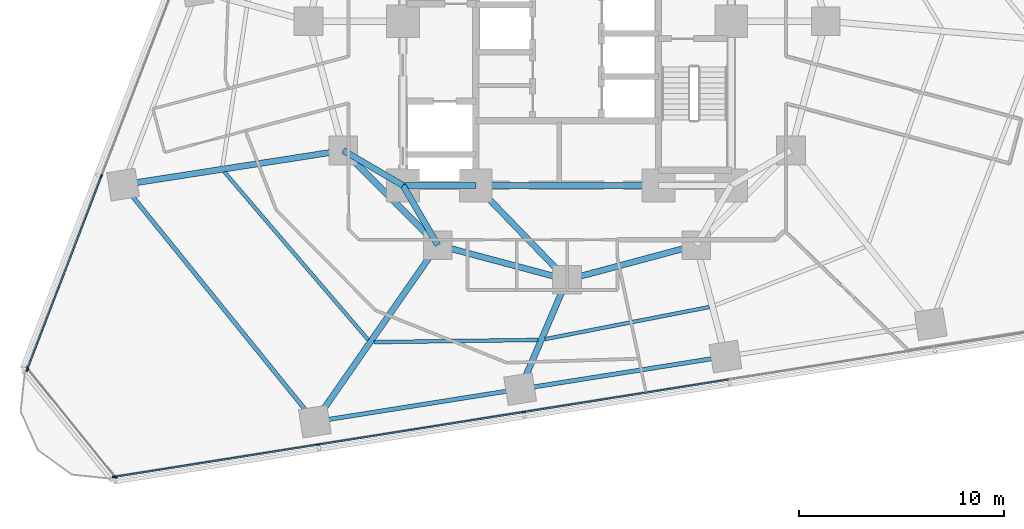
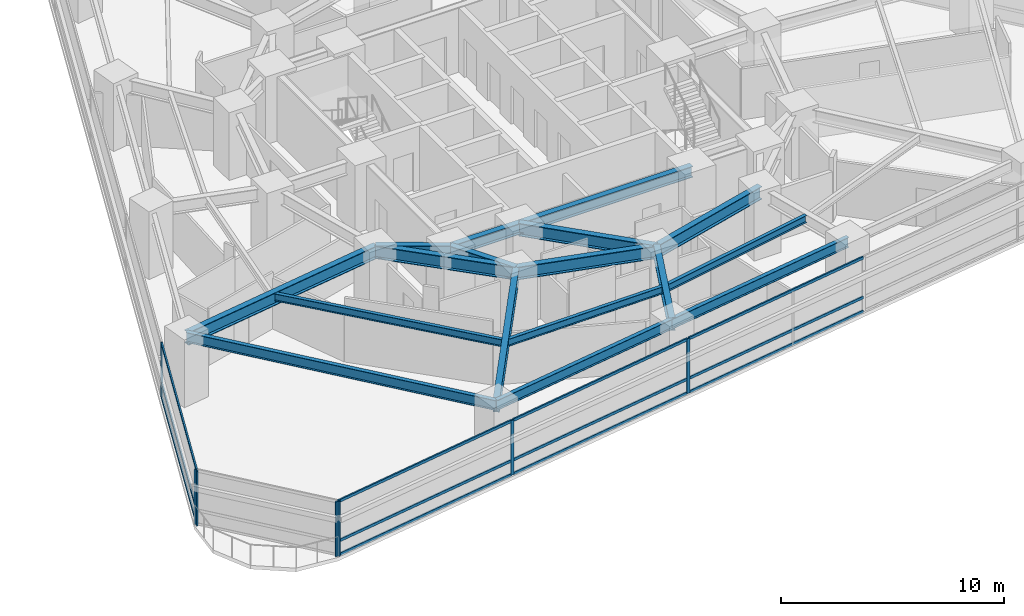
# One storey, part 2 of 14: 19 members, 17 beams, 3 elements without a shape of their own.
"""IFC4 building model written with IfcOpenShell, lengths in metres."""

from ifc_helpers import new_model, si_unit, direction, frame, origin, origin_2d, place, context, subcontext, project, spatial, rectangle, i_section, extrude, material, layer, layer_set, material_profile, profile_set, type_object, element, aggregate, save


model = new_model("IFC4")

# Units and contexts
model_context = context("Model", 3, precision=1e-05, world=origin(), true_north=direction((0.0, 1.0)))
body_context = subcontext(model_context, "Body", "Model", "MODEL_VIEW")
ifc_project = project(units=[si_unit("LENGTHUNIT", "METRE"), si_unit("AREAUNIT", "SQUARE_METRE"), si_unit("VOLUMEUNIT", "CUBIC_METRE"), si_unit("PLANEANGLEUNIT", "RADIAN"), si_unit("MASSUNIT", "GRAM", prefix="KILO")], contexts=[model_context])

# Site, building, storey
site_placement = place(None, origin())
site = spatial("IfcSite", under=ifc_project, at=site_placement, CompositionType="ELEMENT")
building_placement = place(site_placement, origin())
building = spatial("IfcBuilding", under=site, at=building_placement, Name="Terralouvre Media Tower", CompositionType="ELEMENT")
storey_placement = place(building_placement, frame((0.0, 0.0, 66.699951171875)))
storey = spatial("IfcBuildingStorey", under=building, at=storey_placement, Name="L16", CompositionType="ELEMENT", Elevation=66.699951171875)

# Beams
ifc_material_1 = material(Name="Structural steel S355J2", Category="steel")
ifc_material_profile_1 = material_profile(ifc_material_1, i_section(OverallWidth=0.179931640625, OverallDepth=0.39990234375, WebThickness=0.008544921875, FlangeThickness=0.013427734375, at=origin_2d()), Name="IPE 400")
ifc_profile_set_1 = profile_set([ifc_material_profile_1], Name="Structural steel S355J2")
beam_type_1 = type_object("IfcBeamType", Name="Composite Floor Joist J-IPE400 (IPE 400)", PredefinedType="JOIST", material=ifc_profile_set_1)
beam_1_placement = place(storey_placement, frame((-16.69921875, -7.3486328125, 3.300048828125), z_axis=(0.650576599138, -0.759440641955, 0.0), x_axis=(0.759440641955, 0.650576599138, 0.0)))
element("IfcBeam", 1, at=beam_1_placement, inside=storey, type_object=beam_type_1, Name="L16 Framing Beam JT-L16-01", PredefinedType="JOIST", context=body_context, shape_type="SweptSolid", body=[
    extrude(i_section(OverallWidth=0.179931640625, OverallDepth=0.39990234375, WebThickness=0.008544921875, FlangeThickness=0.013427734375, at=origin_2d()), origin(), (0.0, 0.0, 1.0), 10.766845703125),
])
beam_2_placement = place(storey_placement, frame((-9.41259765625, -15.63916015625, 3.300048828125), z_axis=(0.999910093881, 0.013409107136, 0.0), x_axis=(-0.013409107136, 0.999910093881, 0.0)))
element("IfcBeam", 2, at=beam_2_placement, inside=storey, type_object=beam_type_1, Name="L16 Framing Beam JT-L16-02", PredefinedType="JOIST", context=body_context, shape_type="SweptSolid", body=[
    extrude(i_section(OverallWidth=0.179931640625, OverallDepth=0.39990234375, WebThickness=0.008544921875, FlangeThickness=0.013427734375, at=origin_2d()), origin(), (0.0, 0.0, 1.0), 7.992919921875),
])
beam_3_placement = place(storey_placement, frame((-1.08203125, -15.495361328125, 3.300048828125), z_axis=(0.981397676367, 0.191985939127, 0.0), x_axis=(-0.191985939127, 0.981397676367, 0.0)))
element("IfcBeam", 3, at=beam_3_placement, inside=storey, type_object=beam_type_1, Name="L16 Framing Beam JT-L16-03", PredefinedType="JOIST", context=body_context, shape_type="SweptSolid", body=[
    extrude(i_section(OverallWidth=0.179931640625, OverallDepth=0.39990234375, WebThickness=0.008544921875, FlangeThickness=0.013427734375, at=origin_2d()), origin(), (0.0, 0.0, 1.0), 8.165283203125),
])

# Curtain wall, members
ifc_material_2 = material(Name="Low-iron laminated double glazing with solar-control coating", Category="glass")
ifc_layer_1 = layer(ifc_material_2, 0.1650390625, Name="Lower Media Tower Unitised Curtain Wall CW-02")
ifc_layer_set_1 = layer_set([ifc_layer_1], Name="Low-iron laminated double glazing with solar-control coating")
curtain_wall_type_1 = type_object("IfcCurtainWallType", Name="Lower Media Tower Unitised Curtain Wall CW-02", PredefinedType="NOTDEFINED", material=ifc_layer_set_1)
curtain_wall_1_placement = place(storey_placement, origin())
curtain_wall_1 = element("IfcCurtainWall", 4, at=curtain_wall_1_placement, inside=storey, type_object=curtain_wall_type_1, Name="L16 Facade Curtain Wall F0", PredefinedType="NOTDEFINED")
ifc_material_3 = material(Name="Anodised extruded aluminium 6063-T6", Category="aluminium")
ifc_material_profile_2 = material_profile(ifc_material_3, rectangle(XDim=0.074951171875, YDim=0.14990234375, at=origin_2d()), Name="ALU 75x150")
ifc_profile_set_2 = profile_set([ifc_material_profile_2], Name="Anodised extruded aluminium 6063-T6")
member_type_1 = type_object("IfcMemberType", Name="Curtain-Wall Horizontal Transom TR-150", PredefinedType="USERDEFINED", material=ifc_profile_set_2)
member_1_placement = place(storey_placement, frame((-22.04345703125, -22.2001953125, 0.03759765625), z_axis=(0.987689925264, 0.15642445951, 0.0), x_axis=(-0.15642445951, 0.987689925264, 0.0)))
member_1 = element("IfcMember", 5, at=member_1_placement, type_object=member_type_1, Name="CW-02 transom 1.1", ObjectType="TRANSOM", PredefinedType="USERDEFINED", context=body_context, shape_type="SweptSolid", body=[
    extrude(rectangle(XDim=0.074951171875, YDim=0.14990234375, at=origin_2d()), origin(), (0.0, 0.0, 1.0), 10.015380859375),
])
member_2_placement = place(storey_placement, frame((-22.04345703125, -22.2001953125, 0.800048828125), z_axis=(0.987689925264, 0.15642445951, 0.0), x_axis=(-0.15642445951, 0.987689925264, 0.0)))
member_2 = element("IfcMember", 6, at=member_2_placement, type_object=member_type_1, Name="CW-02 transom 1.2", ObjectType="TRANSOM", PredefinedType="USERDEFINED", context=body_context, shape_type="SweptSolid", body=[
    extrude(rectangle(XDim=0.074951171875, YDim=0.14990234375, at=origin_2d()), origin(), (0.0, 0.0, 1.0), 10.015380859375),
])
member_3_placement = place(storey_placement, frame((-22.04345703125, -22.2001953125, 2.962646484375), z_axis=(0.987689925264, 0.15642445951, 0.0), x_axis=(-0.15642445951, 0.987689925264, 0.0)))
member_3 = element("IfcMember", 7, at=member_3_placement, type_object=member_type_1, Name="CW-02 transom 1.3", ObjectType="TRANSOM", PredefinedType="USERDEFINED", context=body_context, shape_type="SweptSolid", body=[
    extrude(rectangle(XDim=0.074951171875, YDim=0.14990234375, at=origin_2d()), origin(), (0.0, 0.0, 1.0), 10.015380859375),
])
member_4_placement = place(storey_placement, frame((-12.0771484375, -20.62158203125, 0.03759765625), z_axis=(0.987690198625, 0.156422733448, 0.0), x_axis=(-0.156422733448, 0.987690198625, 0.0)))
member_4 = element("IfcMember", 8, at=member_4_placement, type_object=member_type_1, Name="CW-02 transom 2.1", ObjectType="TRANSOM", PredefinedType="USERDEFINED", context=body_context, shape_type="SweptSolid", body=[
    extrude(rectangle(XDim=0.074951171875, YDim=0.14990234375, at=origin_2d()), origin(), (0.0, 0.0, 1.0), 10.052978515625),
])
member_5_placement = place(storey_placement, frame((-12.0771484375, -20.62158203125, 0.800048828125), z_axis=(0.987690198625, 0.156422733448, 0.0), x_axis=(-0.156422733448, 0.987690198625, 0.0)))
member_5 = element("IfcMember", 9, at=member_5_placement, type_object=member_type_1, Name="CW-02 transom 2.2", ObjectType="TRANSOM", PredefinedType="USERDEFINED", context=body_context, shape_type="SweptSolid", body=[
    extrude(rectangle(XDim=0.074951171875, YDim=0.14990234375, at=origin_2d()), origin(), (0.0, 0.0, 1.0), 10.052978515625),
])
member_6_placement = place(storey_placement, frame((-12.0771484375, -20.62158203125, 2.962646484375), z_axis=(0.987690198625, 0.156422733448, 0.0), x_axis=(-0.156422733448, 0.987690198625, 0.0)))
member_6 = element("IfcMember", 10, at=member_6_placement, type_object=member_type_1, Name="CW-02 transom 2.3", ObjectType="TRANSOM", PredefinedType="USERDEFINED", context=body_context, shape_type="SweptSolid", body=[
    extrude(rectangle(XDim=0.074951171875, YDim=0.14990234375, at=origin_2d()), origin(), (0.0, 0.0, 1.0), 10.052978515625),
])
member_7_placement = place(storey_placement, frame((-2.073974609375, -19.037353515625, 0.03759765625), z_axis=(0.987686446318, 0.156446424568, 0.0), x_axis=(-0.156446424568, 0.987686446318, 0.0)))
member_7 = element("IfcMember", 11, at=member_7_placement, type_object=member_type_1, Name="CW-02 transom 3.1", ObjectType="TRANSOM", PredefinedType="USERDEFINED", context=body_context, shape_type="SweptSolid", body=[
    extrude(rectangle(XDim=0.074951171875, YDim=0.14990234375, at=origin_2d()), origin(), (0.0, 0.0, 1.0), 10.052978515625),
])
member_8_placement = place(storey_placement, frame((-2.073974609375, -19.037353515625, 0.800048828125), z_axis=(0.987686446318, 0.156446424568, 0.0), x_axis=(-0.156446424568, 0.987686446318, 0.0)))
member_8 = element("IfcMember", 12, at=member_8_placement, type_object=member_type_1, Name="CW-02 transom 3.2", ObjectType="TRANSOM", PredefinedType="USERDEFINED", context=body_context, shape_type="SweptSolid", body=[
    extrude(rectangle(XDim=0.074951171875, YDim=0.14990234375, at=origin_2d()), origin(), (0.0, 0.0, 1.0), 10.052978515625),
])
member_9_placement = place(storey_placement, frame((-2.073974609375, -19.037353515625, 2.962646484375), z_axis=(0.987686446318, 0.156446424568, 0.0), x_axis=(-0.156446424568, 0.987686446318, 0.0)))
member_9 = element("IfcMember", 13, at=member_9_placement, type_object=member_type_1, Name="CW-02 transom 3.3", ObjectType="TRANSOM", PredefinedType="USERDEFINED", context=body_context, shape_type="SweptSolid", body=[
    extrude(rectangle(XDim=0.074951171875, YDim=0.14990234375, at=origin_2d()), origin(), (0.0, 0.0, 1.0), 10.052978515625),
])

curtain_wall_2_placement = place(storey_placement, origin())
curtain_wall_2 = element("IfcCurtainWall", 14, at=curtain_wall_2_placement, inside=storey, type_object=curtain_wall_type_1, Name="L16 Facade Curtain Wall F2", PredefinedType="NOTDEFINED")
member_10_placement = place(storey_placement, frame((-22.708984375, -7.595947265625, 0.03759765625), z_axis=(-0.358363173116, -0.933582259983, 0.0), x_axis=(0.933582259983, -0.358363173116, 0.0)))
member_10 = element("IfcMember", 15, at=member_10_placement, type_object=member_type_1, Name="CW-02 transom 5.1", ObjectType="TRANSOM", PredefinedType="USERDEFINED", context=body_context, shape_type="SweptSolid", body=[
    extrude(rectangle(XDim=0.074951171875, YDim=0.14990234375, at=origin_2d()), origin(), (0.0, 0.0, 1.0), 10.015380859375),
])
member_11_placement = place(storey_placement, frame((-22.708984375, -7.595947265625, 0.800048828125), z_axis=(-0.358363173116, -0.933582259983, 0.0), x_axis=(0.933582259983, -0.358363173116, 0.0)))
member_11 = element("IfcMember", 16, at=member_11_placement, type_object=member_type_1, Name="CW-02 transom 5.2", ObjectType="TRANSOM", PredefinedType="USERDEFINED", context=body_context, shape_type="SweptSolid", body=[
    extrude(rectangle(XDim=0.074951171875, YDim=0.14990234375, at=origin_2d()), origin(), (0.0, 0.0, 1.0), 10.015380859375),
])
member_12_placement = place(storey_placement, frame((-22.708984375, -7.595947265625, 2.962646484375), z_axis=(-0.358363173116, -0.933582259983, 0.0), x_axis=(0.933582259983, -0.358363173116, 0.0)))
member_12 = element("IfcMember", 17, at=member_12_placement, type_object=member_type_1, Name="CW-02 transom 5.3", ObjectType="TRANSOM", PredefinedType="USERDEFINED", context=body_context, shape_type="SweptSolid", body=[
    extrude(rectangle(XDim=0.074951171875, YDim=0.14990234375, at=origin_2d()), origin(), (0.0, 0.0, 1.0), 10.015380859375),
])

# Member
ifc_material_4 = material(Name="Anodised extruded aluminium 6063-T6", Category="aluminium")
ifc_material_profile_3 = material_profile(ifc_material_4, rectangle(XDim=0.074951171875, YDim=0.179931640625, at=origin_2d()), Name="ALU 75x180")
ifc_profile_set_3 = profile_set([ifc_material_profile_3], Name="Anodised extruded aluminium 6063-T6")
member_type_2 = type_object("IfcMemberType", Name="Curtain-Wall Vertical Mullion ML-180", PredefinedType="MULLION", material=ifc_profile_set_3)
member_13_placement = place(storey_placement, frame((-22.08056640625, -22.2060546875, 0.0), z_axis=(0.0, 0.0, 1.0), x_axis=(-0.156434462903, 0.987688340934, 0.0)))
member_13 = element("IfcMember", 18, at=member_13_placement, type_object=member_type_2, Name="CW-02 mullion 1", PredefinedType="MULLION", context=body_context, shape_type="SweptSolid", body=[
    extrude(rectangle(XDim=0.074951171875, YDim=0.179931640625, at=origin_2d()), origin(), (0.0, 0.0, 1.0), 3.0),
])

member_14_placement = place(storey_placement, frame((-12.1142578125, -20.62744140625, 0.0), z_axis=(0.0, 0.0, 1.0), x_axis=(-0.156434462903, 0.987688340934, 0.0)))
member_14 = element("IfcMember", 19, at=member_14_placement, type_object=member_type_2, Name="CW-02 mullion 2", PredefinedType="MULLION", context=body_context, shape_type="SweptSolid", body=[
    extrude(rectangle(XDim=0.074951171875, YDim=0.179931640625, at=origin_2d()), origin(), (0.0, 0.0, 1.0), 3.0),
])

member_15_placement = place(storey_placement, frame((-2.111083984375, -19.043212890625, 0.0), z_axis=(0.0, 0.0, 1.0), x_axis=(-0.156434462903, 0.987688340934, 0.0)))
member_15 = element("IfcMember", 20, at=member_15_placement, type_object=member_type_2, Name="CW-02 mullion 3", PredefinedType="MULLION", context=body_context, shape_type="SweptSolid", body=[
    extrude(rectangle(XDim=0.074951171875, YDim=0.179931640625, at=origin_2d()), origin(), (0.0, 0.0, 1.0), 3.0),
])

aggregate(curtain_wall_1, [member_13, member_14, member_15, member_1, member_2, member_3, member_4, member_5, member_6, member_7, member_8, member_9])

member_16_placement = place(storey_placement, frame((-22.695556640625, -7.560791015625, 0.0), z_axis=(0.0, 0.0, 1.0), x_axis=(0.933580438988, -0.358367917006, 0.0)))
member_16 = element("IfcMember", 21, at=member_16_placement, type_object=member_type_2, Name="CW-02 mullion 5", PredefinedType="MULLION", context=body_context, shape_type="SweptSolid", body=[
    extrude(rectangle(XDim=0.074951171875, YDim=0.179931640625, at=origin_2d()), origin(), (0.0, 0.0, 1.0), 3.0),
])

member_17_placement = place(storey_placement, frame((-26.3115234375, -16.981201171875, 0.0), z_axis=(0.0, 0.0, 1.0), x_axis=(0.933580438988, -0.358367917006, 0.0)))
member_17 = element("IfcMember", 22, at=member_17_placement, type_object=member_type_2, Name="CW-02 mullion 6", PredefinedType="MULLION", context=body_context, shape_type="SweptSolid", body=[
    extrude(rectangle(XDim=0.074951171875, YDim=0.179931640625, at=origin_2d()), origin(), (0.0, 0.0, 1.0), 3.0),
])

aggregate(curtain_wall_2, [member_16, member_17, member_10, member_11, member_12])

# Curtain wall, members
ifc_material_5 = material(Name="Low-iron laminated double glazing with solar-control coating", Category="glass")
ifc_layer_2 = layer(ifc_material_5, 0.1650390625, Name="Rounded Wind-Corner Curved Glazing CW-04")
ifc_layer_set_2 = layer_set([ifc_layer_2], Name="Low-iron laminated double glazing with solar-control coating")
curtain_wall_type_2 = type_object("IfcCurtainWallType", Name="Rounded Wind-Corner Curved Glazing CW-04", PredefinedType="NOTDEFINED", material=ifc_layer_set_2)
curtain_wall_3_placement = place(storey_placement, origin())
curtain_wall_3 = element("IfcCurtainWall", 23, at=curtain_wall_3_placement, inside=storey, type_object=curtain_wall_type_2, Name="L16 Rounded Wind-Corner Curtain Wall C0", PredefinedType="NOTDEFINED")
member_18_placement = place(storey_placement, frame((-26.3046875, -16.9140625, 0.0), z_axis=(0.0, 0.0, 1.0), x_axis=(0.777146252262, 0.629320031936, 0.0)))
member_18 = element("IfcMember", 24, at=member_18_placement, type_object=member_type_2, Name="CW-04 mullion 1", PredefinedType="MULLION", context=body_context, shape_type="SweptSolid", body=[
    extrude(rectangle(XDim=0.074951171875, YDim=0.179931640625, at=origin_2d()), origin(), (0.0, 0.0, 1.0), 3.0),
])
member_19_placement = place(storey_placement, frame((-22.013671875, -22.213134765625, 0.0), z_axis=(0.0, 0.0, 1.0), x_axis=(0.777146252262, 0.629320031936, 0.0)))
member_19 = element("IfcMember", 25, at=member_19_placement, type_object=member_type_2, Name="CW-04 mullion 2", PredefinedType="MULLION", context=body_context, shape_type="SweptSolid", body=[
    extrude(rectangle(XDim=0.074951171875, YDim=0.179931640625, at=origin_2d()), origin(), (0.0, 0.0, 1.0), 3.0),
])
aggregate(curtain_wall_3, [member_18, member_19])

# Beams
ifc_material_6 = material(Name="Structural steel S355J2", Category="steel")
ifc_material_profile_4 = material_profile(ifc_material_6, i_section(OverallWidth=0.2099609375, OverallDepth=0.550048828125, WebThickness=0.010986328125, FlangeThickness=0.01708984375, at=origin_2d()), Name="IPE 550")
ifc_profile_set_4 = profile_set([ifc_material_profile_4], Name="Structural steel S355J2")
beam_type_2 = type_object("IfcBeamType", Name="Perimeter Spandrel Beam SPB-550 (IPE 550)", PredefinedType="SPANDREL", material=ifc_profile_set_4)
beam_4_placement = place(storey_placement, frame((-21.640625, -7.9658203125, 3.22509765625), z_axis=(0.629325386112, -0.777141916509, 0.0), x_axis=(0.777141916509, 0.629325386112, 0.0)))
element("IfcBeam", 26, at=beam_4_placement, inside=storey, type_object=beam_type_2, Name="L16 Framing Beam BM-L16-PR01", PredefinedType="SPANDREL", context=body_context, shape_type="SweptSolid", body=[
    extrude(i_section(OverallWidth=0.2099609375, OverallDepth=0.550048828125, WebThickness=0.010986328125, FlangeThickness=0.01708984375, at=origin_2d()), origin(), (0.0, 0.0, 1.0), 14.8564453125),
])
beam_5_placement = place(storey_placement, frame((-12.291015625, -19.511474609375, 3.22509765625), z_axis=(0.987686424887, 0.156446559869, 0.0), x_axis=(-0.156446559869, 0.987686424887, 0.0)))
element("IfcBeam", 27, at=beam_5_placement, inside=storey, type_object=beam_type_2, Name="L16 Framing Beam BM-L16-PR02", PredefinedType="SPANDREL", context=body_context, shape_type="SweptSolid", body=[
    extrude(i_section(OverallWidth=0.2099609375, OverallDepth=0.550048828125, WebThickness=0.010986328125, FlangeThickness=0.01708984375, at=origin_2d()), origin(), (0.0, 0.0, 1.0), 10.1279296875),
])
beam_6_placement = place(storey_placement, frame((-2.287841796875, -17.927001953125, 3.22509765625), z_axis=(0.987690739256, 0.15641931974, 0.0), x_axis=(-0.15641931974, 0.987690739256, 0.0)))
element("IfcBeam", 28, at=beam_6_placement, inside=storey, type_object=beam_type_2, Name="L16 Framing Beam BM-L16-PR03", PredefinedType="SPANDREL", context=body_context, shape_type="SweptSolid", body=[
    extrude(i_section(OverallWidth=0.2099609375, OverallDepth=0.550048828125, WebThickness=0.010986328125, FlangeThickness=0.01708984375, at=origin_2d()), origin(), (0.0, 0.0, 1.0), 10.128173828125),
])
ifc_material_7 = material(Name="Structural steel S460M", Category="steel")
ifc_material_profile_5 = material_profile(ifc_material_7, i_section(OverallWidth=0.300048828125, OverallDepth=0.60009765625, WebThickness=0.015380859375, FlangeThickness=0.030029296875, at=origin_2d()), Name="HEB 600")
ifc_profile_set_5 = profile_set([ifc_material_profile_5], Name="Structural steel S460M")
beam_type_3 = type_object("IfcBeamType", Name="Primary Floor Girder B-HEB600 (HEB 600)", PredefinedType="BEAM", material=ifc_profile_set_5)
beam_7_placement = place(storey_placement, frame((-8.0, -8.0, 3.199951171875), z_axis=(1.0, 0.0, 0.0), x_axis=(0.0, 1.0, 0.0)))
element("IfcBeam", 29, at=beam_7_placement, inside=storey, type_object=beam_type_3, Name="L16 Framing Beam BM-L16-CPR01", PredefinedType="BEAM", context=body_context, shape_type="SweptSolid", body=[
    extrude(i_section(OverallWidth=0.300048828125, OverallDepth=0.60009765625, WebThickness=0.015380859375, FlangeThickness=0.030029296875, at=origin_2d()), origin(), (0.0, 0.0, 1.0), 3.550048828125),
])
beam_8_placement = place(storey_placement, frame((-4.449951171875, -8.0, 3.199951171875), z_axis=(1.0, 0.0, 0.0), x_axis=(0.0, 1.0, 0.0)))
element("IfcBeam", 30, at=beam_8_placement, inside=storey, type_object=beam_type_3, Name="L16 Framing Beam BM-L16-CPR02", PredefinedType="BEAM", context=body_context, shape_type="SweptSolid", body=[
    extrude(i_section(OverallWidth=0.300048828125, OverallDepth=0.60009765625, WebThickness=0.015380859375, FlangeThickness=0.030029296875, at=origin_2d()), origin(), (0.0, 0.0, 1.0), 8.89990234375),
])
ifc_material_8 = material(Name="Structural steel S460M", Category="steel")
ifc_material_profile_6 = material_profile(ifc_material_8, i_section(OverallWidth=0.300048828125, OverallDepth=0.699951171875, WebThickness=0.01708984375, FlangeThickness=0.031982421875, at=origin_2d()), Name="HEB 700")
ifc_profile_set_6 = profile_set([ifc_material_profile_6], Name="Structural steel S460M")
beam_type_4 = type_object("IfcBeamType", Name="Primary Floor Girder B-HEB700 (HEB 700)", PredefinedType="BEAM", material=ifc_profile_set_6)
beam_9_placement = place(storey_placement, frame((-10.911865234375, -6.300048828125, 3.150146484375), z_axis=(0.707106781187, -0.707106781187, 0.0), x_axis=(0.707106781187, 0.707106781187, 0.0)))
element("IfcBeam", 31, at=beam_9_placement, inside=storey, type_object=beam_type_4, Name="L16 Framing Beam BM-L16-MR01", PredefinedType="BEAM", context=body_context, shape_type="SweptSolid", body=[
    extrude(i_section(OverallWidth=0.300048828125, OverallDepth=0.699951171875, WebThickness=0.01708984375, FlangeThickness=0.031982421875, at=origin_2d()), origin(), (0.0, 0.0, 1.0), 6.52197265625),
])
for number, where, z_axis, x_axis, name in (
    (32, (-6.300048828125, -10.911865234375, 3.150146484375), (0.965920481897, -0.258838989821, 0.0), (0.258838989821, 0.965920481897, 0.0), "L16 Framing Beam BM-L16-MR02"),
    (33, (0.0, -12.60009765625, 3.150146484375), (0.965920481897, 0.258838989821, 0.0), (-0.258838989821, 0.965920481897, 0.0), "L16 Framing Beam BM-L16-MR03"),
):
    element("IfcBeam", number, at=place(storey_placement, frame(where, z_axis=z_axis, x_axis=x_axis)), inside=storey, type_object=beam_type_4, Name=name, PredefinedType="BEAM", context=body_context, shape_type="SweptSolid", body=[
        extrude(i_section(OverallWidth=0.300048828125, OverallDepth=0.699951171875, WebThickness=0.01708984375, FlangeThickness=0.031982421875, at=origin_2d()), origin(), (0.0, 0.0, 1.0), 6.522216796875),
    ])
for number, where, z_axis, x_axis, name in (
    (34, (-8.0, -8.0, 3.150146484375), (-0.863602894532, 0.504172629717, 0.0), (-0.504172629717, -0.863602894532, 0.0), "L16 Framing Beam BM-L16-CM01"),
    (35, (-8.0, -8.0, 3.150146484375), (0.504172629717, -0.863602894532, 0.0), (0.863602894532, 0.504172629717, 0.0), "L16 Framing Beam BM-L16-CM02"),
):
    element("IfcBeam", number, at=place(storey_placement, frame(where, z_axis=z_axis, x_axis=x_axis)), inside=storey, type_object=beam_type_4, Name=name, PredefinedType="BEAM", context=body_context, shape_type="SweptSolid", body=[
        extrude(i_section(OverallWidth=0.300048828125, OverallDepth=0.699951171875, WebThickness=0.01708984375, FlangeThickness=0.031982421875, at=origin_2d()), origin(), (0.0, 0.0, 1.0), 3.371826171875),
    ])
beam_10_placement = place(storey_placement, frame((-4.449951171875, -8.0, 3.150146484375), z_axis=(0.695279715726, -0.718739255155, 0.0), x_axis=(0.718739255155, 0.695279715726, 0.0)))
element("IfcBeam", 36, at=beam_10_placement, inside=storey, type_object=beam_type_4, Name="L16 Framing Beam BM-L16-CM03", PredefinedType="BEAM", context=body_context, shape_type="SweptSolid", body=[
    extrude(i_section(OverallWidth=0.300048828125, OverallDepth=0.699951171875, WebThickness=0.01708984375, FlangeThickness=0.031982421875, at=origin_2d()), origin(), (0.0, 0.0, 1.0), 6.400146484375),
])
beam_11_placement = place(storey_placement, frame((-10.911865234375, -6.300048828125, 3.150146484375), z_axis=(-0.98816044694, -0.153424023881, 0.0), x_axis=(0.153424023881, -0.98816044694, 0.0)))
element("IfcBeam", 37, at=beam_11_placement, inside=storey, type_object=beam_type_4, Name="L16 Framing Beam BM-L16-RD01", PredefinedType="BEAM", context=body_context, shape_type="SweptSolid", body=[
    extrude(i_section(OverallWidth=0.300048828125, OverallDepth=0.699951171875, WebThickness=0.01708984375, FlangeThickness=0.031982421875, at=origin_2d()), origin(), (0.0, 0.0, 1.0), 10.857421875),
])
beam_12_placement = place(storey_placement, frame((-6.300048828125, -10.911865234375, 3.150146484375), z_axis=(-0.571619237268, -0.820519011105, 0.0), x_axis=(0.820519011105, -0.571619237268, 0.0)))
element("IfcBeam", 38, at=beam_12_placement, inside=storey, type_object=beam_type_4, Name="L16 Framing Beam BM-L16-RD02", PredefinedType="BEAM", context=body_context, shape_type="SweptSolid", body=[
    extrude(i_section(OverallWidth=0.300048828125, OverallDepth=0.699951171875, WebThickness=0.01708984375, FlangeThickness=0.031982421875, at=origin_2d()), origin(), (0.0, 0.0, 1.0), 10.480712890625),
])
beam_13_placement = place(storey_placement, frame((0.0, -12.60009765625, 3.150146484375), z_axis=(-0.394630726641, -0.918839806272, 0.0), x_axis=(0.918839806272, -0.394630726641, 0.0)))
element("IfcBeam", 39, at=beam_13_placement, inside=storey, type_object=beam_type_4, Name="L16 Framing Beam BM-L16-RD03", PredefinedType="BEAM", context=body_context, shape_type="SweptSolid", body=[
    extrude(i_section(OverallWidth=0.300048828125, OverallDepth=0.699951171875, WebThickness=0.01708984375, FlangeThickness=0.031982421875, at=origin_2d()), origin(), (0.0, 0.0, 1.0), 5.79736328125),
])

save(model, "model.ifc")
